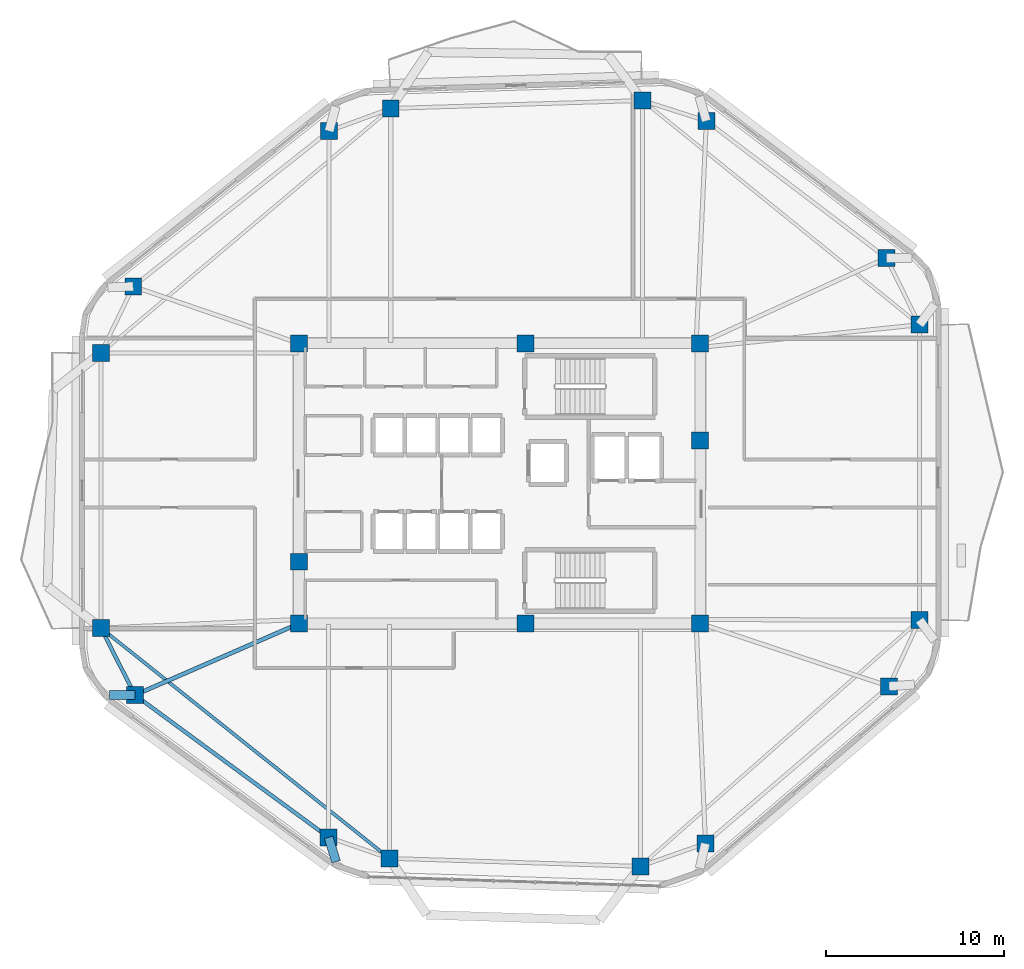
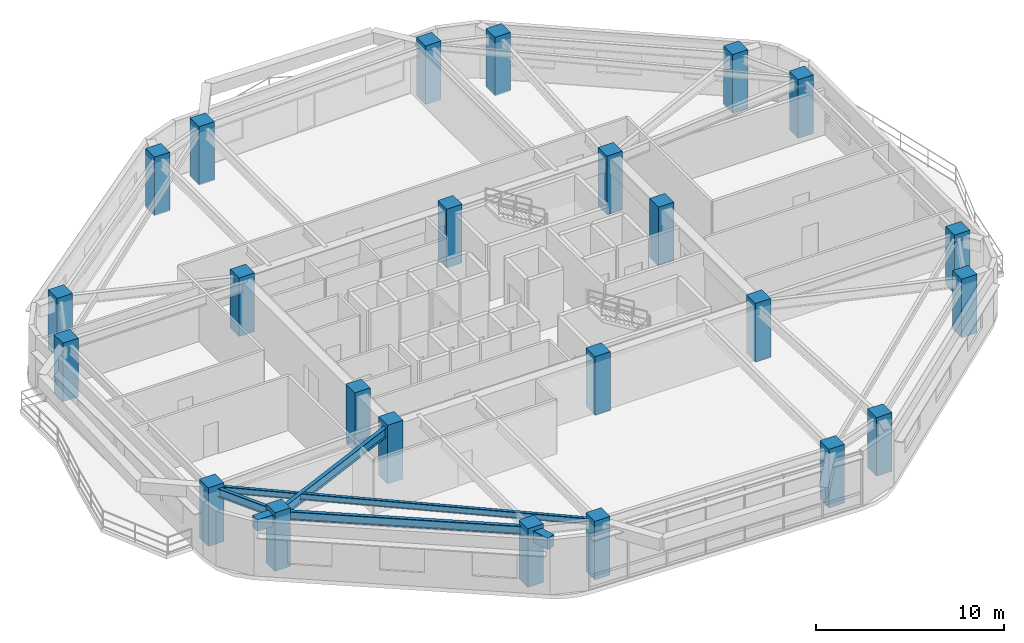
# One storey, part 1 of 12: 24 columns, 6 beams.
"""IFC4 building model written with IfcOpenShell, lengths in metres."""

from ifc_helpers import new_model, si_unit, direction, frame, origin, origin_2d, place, context, subcontext, project, spatial, rectangle, i_section, extrude, material, material_profile, profile_set, type_object, element, save


model = new_model("IFC4")

# Units and contexts
model_context = context("Model", 3, precision=1e-05, world=origin(), true_north=direction((0.0, 1.0)))
body_context = subcontext(model_context, "Body", "Model", "MODEL_VIEW")
ifc_project = project(units=[si_unit("LENGTHUNIT", "METRE"), si_unit("AREAUNIT", "SQUARE_METRE"), si_unit("VOLUMEUNIT", "CUBIC_METRE"), si_unit("PLANEANGLEUNIT", "RADIAN"), si_unit("MASSUNIT", "GRAM", prefix="KILO")], contexts=[model_context])

# Site, building, storey
site_placement = place(None, origin())
site = spatial("IfcSite", under=ifc_project, at=site_placement, CompositionType="ELEMENT")
building_placement = place(site_placement, origin())
building = spatial("IfcBuilding", under=site, at=building_placement, Name="Zulverin Broadcast Headquarters", CompositionType="ELEMENT")
storey_placement = place(building_placement, frame((0.0, 0.0, 185.800048828125)))
storey = spatial("IfcBuildingStorey", under=building, at=storey_placement, Name="L47", CompositionType="ELEMENT", Elevation=185.800048828125)

# Columns
ifc_material_1 = material(Name="Concrete C50/60", Category="concrete")
ifc_material_profile_1 = material_profile(ifc_material_1, rectangle(XDim=0.949951171875, YDim=0.949951171875, at=origin_2d()), Name="Concrete C50/60", Category="concrete")
ifc_profile_set_1 = profile_set([ifc_material_profile_1], Name="Concrete C50/60")
column_type_1 = type_object("IfcColumnType", Name="COL-RC-950", PredefinedType="COLUMN", material=ifc_profile_set_1)
for number, where, z_axis, x_axis, name in (
    (1, (30.80859375, 4.12744140625, 0.0), (0.0, 0.0, 1.0), (1.0, 0.0, 0.0), "L47 Perimeter Column T01"),
    (2, (44.909912109375, 3.68017578125, 0.0), (0.0, 0.0, 1.0), (1.0, 0.0, 0.0), "L47 Perimeter Column T02"),
    (3, (48.569580078125, 4.967041015625, 0.0), (0.0, 0.0, 1.0), (1.0, 0.0, 0.0), "L47 Perimeter Column T03"),
    (4, (58.886962890625, 13.798095703125, 0.0), (0.0, 0.0, 1.0), (1.0, 0.0, 0.0), "L47 Perimeter Column T04"),
    (5, (60.60009765625, 17.519287109375, 0.0), (0.0, 0.0, 1.0), (1.0, 0.0, 0.0), "L47 Perimeter Column T05"),
    (6, (60.60009765625, 34.12158203125, 0.0), (0.0, 0.0, 1.0), (1.0, 0.0, 0.0), "L47 Perimeter Column T06"),
    (7, (58.738037109375, 37.877685546875, 0.0), (0.0, 0.0, 1.0), (1.0, 0.0, 0.0), "L47 Perimeter Column T07"),
    (8, (48.62158203125, 45.574951171875, 0.0), (0.0, 0.0, 1.0), (1.0, 0.0, 0.0), "L47 Perimeter Column T08"),
    (9, (45.027587890625, 46.7236328125, 0.0), (0.0, 0.0, 1.0), (1.0, 0.0, 0.0), "L47 Perimeter Column T09"),
    (10, (30.882080078125, 46.27490234375, 0.0), (0.0, 0.0, 1.0), (1.0, 0.0, 0.0), "L47 Perimeter Column T10"),
    (11, (27.416259765625, 45.00439453125, 0.0), (0.0, 0.0, 1.0), (1.0, 0.0, 0.0), "L47 Perimeter Column T11"),
    (12, (16.40869140625, 36.26806640625, 0.0), (0.0, 0.0, 1.0), (1.0, 0.0, 0.0), "L47 Perimeter Column T12"),
    (13, (14.60009765625, 32.523193359375, 0.0), (0.0, 0.0, 1.0), (1.0, 0.0, 0.0), "L47 Perimeter Column T13"),
    (14, (14.60009765625, 17.072021484375, 0.0), (0.0, 0.0, 1.0), (1.0, 0.0, 0.0), "L47 Perimeter Column T14"),
    (15, (16.50537109375, 13.306884765625, 0.0), (0.0, 0.0, 1.0), (1.0, 0.0, 0.0), "L47 Perimeter Column T15"),
    (16, (27.38720703125, 5.309814453125, 0.0), (0.0, 0.0, 1.0), (1.0, 0.0, 0.0), "L47 Perimeter Column T16"),
):
    element("IfcColumn", number, at=place(storey_placement, frame(where, z_axis=z_axis, x_axis=x_axis)), inside=storey, type_object=column_type_1, Name=name, PredefinedType="COLUMN", context=body_context, shape_type="SweptSolid", body=[
        extrude(rectangle(XDim=0.949951171875, YDim=0.949951171875, at=origin_2d()), origin(), (0.0, 0.0, 1.0), 3.800048828125),
    ])
ifc_material_profile_2 = material_profile(ifc_material_1, rectangle(XDim=0.949951171875, YDim=0.949951171875, at=origin_2d()), Name="Concrete C50/60", Category="concrete")
ifc_profile_set_2 = profile_set([ifc_material_profile_2], Name="Concrete C50/60")
column_type_2 = type_object("IfcColumnType", Name="PIL-RC-950", PredefinedType="PILASTER", material=ifc_profile_set_2)
for number, where, z_axis, x_axis, name in (
    (17, (25.72509765625, 17.324951171875, 0.0), (0.0, 0.0, 1.0), (1.0, 0.0, 0.0), "L47 Core Pilaster K01"),
    (18, (38.449951171875, 17.324951171875, 0.0), (0.0, 0.0, 1.0), (1.0, 0.0, 0.0), "L47 Core Pilaster K02"),
    (19, (48.27490234375, 17.324951171875, 0.0), (0.0, 0.0, 1.0), (1.0, 0.0, 0.0), "L47 Core Pilaster K03"),
    (20, (48.27490234375, 27.6201171875, 0.0), (0.0, 0.0, 1.0), (1.0, 0.0, 0.0), "L47 Core Pilaster K04"),
    (21, (48.27490234375, 33.074951171875, 0.0), (0.0, 0.0, 1.0), (1.0, 0.0, 0.0), "L47 Core Pilaster K05"),
    (22, (38.449951171875, 33.074951171875, 0.0), (0.0, 0.0, 1.0), (1.0, 0.0, 0.0), "L47 Core Pilaster K06"),
    (23, (25.72509765625, 33.074951171875, 0.0), (0.0, 0.0, 1.0), (1.0, 0.0, 0.0), "L47 Core Pilaster K07"),
    (24, (25.72509765625, 20.800048828125, 0.0), (0.0, 0.0, 1.0), (1.0, 0.0, 0.0), "L47 Core Pilaster K08"),
):
    element("IfcColumn", number, at=place(storey_placement, frame(where, z_axis=z_axis, x_axis=x_axis)), inside=storey, type_object=column_type_2, Name=name, PredefinedType="PILASTER", context=body_context, shape_type="SweptSolid", body=[
        extrude(rectangle(XDim=0.949951171875, YDim=0.949951171875, at=origin_2d()), origin(), (0.0, 0.0, 1.0), 3.800048828125),
    ])

# Beams
ifc_material_2 = material(Name="Concrete C40/50", Category="concrete")
ifc_material_profile_3 = material_profile(ifc_material_2, rectangle(XDim=0.5, YDim=0.75, at=origin_2d()), Name="Concrete C40/50", Category="concrete")
ifc_profile_set_3 = profile_set([ifc_material_profile_3], Name="Concrete C40/50")
beam_type_1 = type_object("IfcBeamType", Name="BM-RC-500x750", PredefinedType="BEAM", material=ifc_profile_set_3)
beam_1_placement = place(storey_placement, frame((16.50537109375, 13.306884765625, 3.1650390625), z_axis=(-0.999996268726, -0.002731763753, 0.0), x_axis=(0.002731763753, -0.999996268726, 0.0)))
element("IfcBeam", 25, at=beam_1_placement, inside=storey, type_object=beam_type_1, Name="L48 Plate Overhang Back-Spanned Beam OVR-15", PredefinedType="BEAM", context=body_context, shape_type="SweptSolid", body=[
    extrude(rectangle(XDim=0.5, YDim=0.75, at=origin_2d()), origin(), (0.0, 0.0, 1.0), 1.429931640625),
])
beam_2_placement = place(storey_placement, frame((27.38720703125, 5.309814453125, 3.1650390625), z_axis=(0.296184429368, -0.955130767905, 0.0), x_axis=(0.955130767905, 0.296184429368, 0.0)))
element("IfcBeam", 26, at=beam_2_placement, inside=storey, type_object=beam_type_1, Name="L48 Plate Overhang Back-Spanned Beam OVR-16", PredefinedType="BEAM", context=body_context, shape_type="SweptSolid", body=[
    extrude(rectangle(XDim=0.5, YDim=0.75, at=origin_2d()), origin(), (0.0, 0.0, 1.0), 1.43017578125),
])
ifc_material_3 = material(Name="Structural steel S355JR", Category="steel")
ifc_material_profile_4 = material_profile(ifc_material_3, i_section(OverallWidth=0.179443359375, OverallDepth=0.412841796875, WebThickness=0.009521484375, FlangeThickness=0.01611328125, at=origin_2d()), Name="Structural steel S355JR", Category="steel")
ifc_profile_set_4 = profile_set([ifc_material_profile_4], Name="Structural steel S355JR")
beam_type_2 = type_object("IfcBeamType", Name="BM-UB-406", PredefinedType="JOIST", material=ifc_profile_set_4)
beam_3_placement = place(storey_placement, frame((14.60009765625, 17.072021484375, 3.33349609375), z_axis=(0.781390996609, -0.624041753746, 0.0), x_axis=(0.624041753746, 0.781390996609, 0.0)))
element("IfcBeam", 27, at=beam_3_placement, inside=storey, type_object=beam_type_2, Name="L47 Chordal Floor Joist J-04", PredefinedType="JOIST", context=body_context, shape_type="SweptSolid", body=[
    extrude(i_section(OverallWidth=0.179443359375, OverallDepth=0.412841796875, WebThickness=0.009521484375, FlangeThickness=0.01611328125, at=origin_2d()), origin(), (0.0, 0.0, 1.0), 20.7431640625),
])
ifc_material_profile_5 = material_profile(ifc_material_3, i_section(OverallWidth=0.2119140625, OverallDepth=0.54443359375, WebThickness=0.0126953125, FlangeThickness=0.021240234375, at=origin_2d()), Name="Structural steel S355JR", Category="steel")
ifc_profile_set_5 = profile_set([ifc_material_profile_5], Name="Structural steel S355JR")
beam_type_3 = type_object("IfcBeamType", Name="BM-UB-533", PredefinedType="SPANDREL", material=ifc_profile_set_5)
beam_4_placement = place(storey_placement, frame((14.60009765625, 17.072021484375, 3.267578125), z_axis=(0.451512947895, -0.892264567201, 0.0), x_axis=(0.892264567201, 0.451512947895, 0.0)))
element("IfcBeam", 28, at=beam_4_placement, inside=storey, type_object=beam_type_3, Name="L47 Perimeter Spandrel Beam SP-14", PredefinedType="SPANDREL", context=body_context, shape_type="SweptSolid", body=[
    extrude(i_section(OverallWidth=0.2119140625, OverallDepth=0.54443359375, WebThickness=0.0126953125, FlangeThickness=0.021240234375, at=origin_2d()), origin(), (0.0, 0.0, 1.0), 4.2197265625),
])
beam_5_placement = place(storey_placement, frame((16.50537109375, 13.306884765625, 3.267578125), z_axis=(0.805802234061, -0.592184734338, 0.0), x_axis=(0.592184734338, 0.805802234061, 0.0)))
element("IfcBeam", 29, at=beam_5_placement, inside=storey, type_object=beam_type_3, Name="L47 Perimeter Spandrel Beam SP-15", PredefinedType="SPANDREL", context=body_context, shape_type="SweptSolid", body=[
    extrude(i_section(OverallWidth=0.2119140625, OverallDepth=0.54443359375, WebThickness=0.0126953125, FlangeThickness=0.021240234375, at=origin_2d()), origin(), (0.0, 0.0, 1.0), 13.50439453125),
])
ifc_material_profile_6 = material_profile(ifc_material_3, i_section(OverallWidth=0.230224609375, OverallDepth=0.6171875, WebThickness=0.01318359375, FlangeThickness=0.022216796875, at=origin_2d()), Name="Structural steel S355JR", Category="steel")
ifc_profile_set_6 = profile_set([ifc_material_profile_6], Name="Structural steel S355JR")
beam_type_4 = type_object("IfcBeamType", Name="BM-UB-610", PredefinedType="BEAM", material=ifc_profile_set_6)
beam_6_placement = place(storey_placement, frame((25.72509765625, 17.324951171875, 3.2314453125), z_axis=(-0.916724690104, -0.39951951461, 0.0), x_axis=(0.39951951461, -0.916724690104, 0.0)))
element("IfcBeam", 30, at=beam_6_placement, inside=storey, type_object=beam_type_4, Name="L47 Radial Primary Floor Beam RB-15", PredefinedType="BEAM", context=body_context, shape_type="SweptSolid", body=[
    extrude(i_section(OverallWidth=0.230224609375, OverallDepth=0.6171875, WebThickness=0.01318359375, FlangeThickness=0.022216796875, at=origin_2d()), origin(), (0.0, 0.0, 1.0), 10.05712890625),
])

save(model, "model.ifc")
